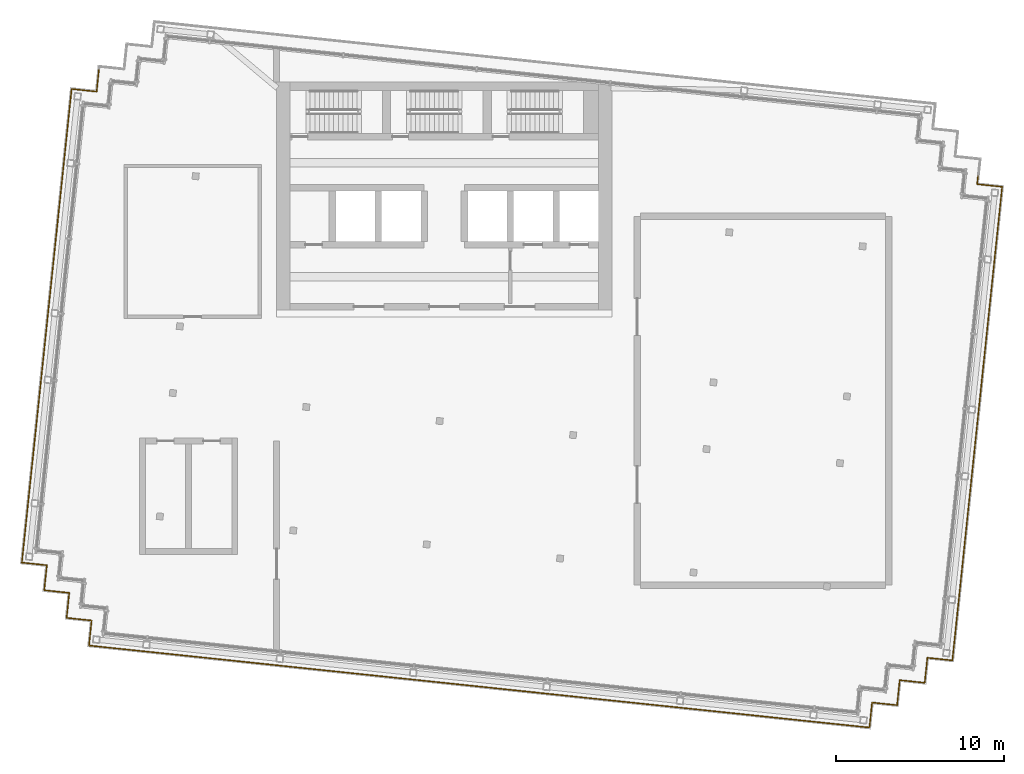
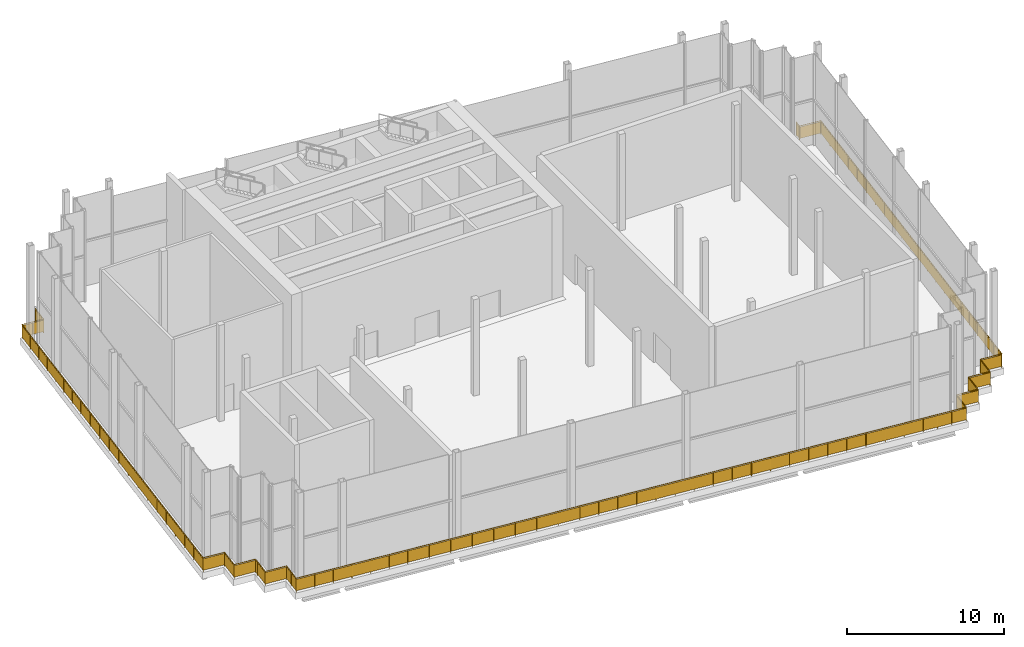
# One storey, part 11 of 14: 11 railings.
"""IFC4 building model written with IfcOpenShell, lengths in metres."""

from ifc_helpers import new_model, si_unit, direction, frame, origin, origin_2d, place, context, subcontext, project, spatial, rectangle, circle, extrude, material, type_object, element, save


model = new_model("IFC4")

# Units and contexts
model_context = context("Model", 3, precision=1e-05, world=origin(), true_north=direction((0.0, 1.0)))
body_context = subcontext(model_context, "Body", "Model", "MODEL_VIEW")
ifc_project = project(units=[si_unit("LENGTHUNIT", "METRE"), si_unit("AREAUNIT", "SQUARE_METRE"), si_unit("VOLUMEUNIT", "CUBIC_METRE"), si_unit("PLANEANGLEUNIT", "RADIAN"), si_unit("MASSUNIT", "GRAM", prefix="KILO")], contexts=[model_context])

# Site, building, storey
site_placement = place(None, origin())
site = spatial("IfcSite", under=ifc_project, at=site_placement, CompositionType="ELEMENT")
building_placement = place(site_placement, origin())
building = spatial("IfcBuilding", under=site, at=building_placement, Name="Vidyagriha Tower", CompositionType="ELEMENT")
storey_placement = place(building_placement, frame((0.0, 0.0, 301.699951171875)))
storey = spatial("IfcBuildingStorey", under=building, at=storey_placement, Name="L78", CompositionType="ELEMENT", Elevation=301.699951171875)

# Railings
ifc_material = material(Name="Steel ASTM A500 Grade C black painted", Category="steel")
railing_type = type_object("IfcRailingType", Name="Gallery guard 1100", PredefinedType="GUARDRAIL", material=ifc_material)
railing_1_placement = place(storey_placement, frame((30.297607421875, -14.485595703125, 0.0)))
element("IfcRailing", 1, at=railing_1_placement, inside=storey, type_object=railing_type, Name="Gallery guard L78 1", PredefinedType="GUARDRAIL", context=body_context, shape_type="SweptSolid", body=[
    extrude(circle(Radius=0.02490234375, at=origin_2d()), frame((0.0, 0.0, 1.0751953125), z_axis=(-0.994525057048, 0.104498377516, 0.0), x_axis=(-0.104498377516, -0.994525057048, 0.0)), (0.0, 0.0, 1.0), 1.5),
    extrude(circle(Radius=0.02490234375, at=origin_2d()), frame((-1.49169921875, 0.15673828125, 1.0751953125), z_axis=(-0.104498377516, -0.994525057048, 0.0), x_axis=(0.994525057048, -0.104498377516, 0.0)), (0.0, 0.0, 1.0), 1.5),
    extrude(circle(Radius=0.02490234375, at=origin_2d()), frame((-1.6484375, -1.3349609375, 1.0751953125), z_axis=(-0.994525057048, 0.104498377516, 0.0), x_axis=(-0.104498377516, -0.994525057048, 0.0)), (0.0, 0.0, 1.0), 1.5),
    extrude(circle(Radius=0.02490234375, at=origin_2d()), frame((-3.14013671875, -1.17822265625, 1.0751953125), z_axis=(-0.104659366031, -0.994508128223, 0.0), x_axis=(0.994508128223, -0.104659366031, 0.0)), (0.0, 0.0, 1.0), 1.5),
    extrude(circle(Radius=0.02490234375, at=origin_2d()), frame((-3.297119140625, -2.669921875, 1.0751953125), z_axis=(-0.994525057048, 0.104498377516, 0.0), x_axis=(-0.104498377516, -0.994525057048, 0.0)), (0.0, 0.0, 1.0), 1.5),
    extrude(circle(Radius=0.02490234375, at=origin_2d()), frame((-4.788818359375, -2.51318359375, 1.0751953125), z_axis=(-0.104498377516, -0.994525057048, 0.0), x_axis=(0.994525057048, -0.104498377516, 0.0)), (0.0, 0.0, 1.0), 1.5),
    extrude(circle(Radius=0.02490234375, at=origin_2d()), frame((-4.945556640625, -4.0048828125, 1.0751953125), z_axis=(-0.994525945657, 0.104489920156, 0.0), x_axis=(-0.104489920156, -0.994525945657, 0.0)), (0.0, 0.0, 1.0), 3.0),
    extrude(circle(Radius=0.02001953125, at=origin_2d()), origin(), (0.0, 0.0, 1.0), 1.050048828125),
    extrude(circle(Radius=0.02001953125, at=origin_2d()), frame((-1.49169921875, 0.15673828125, 0.0)), (0.0, 0.0, 1.0), 1.050048828125),
    extrude(circle(Radius=0.02001953125, at=origin_2d()), frame((-1.6484375, -1.3349609375, 0.0)), (0.0, 0.0, 1.0), 1.050048828125),
    extrude(circle(Radius=0.02001953125, at=origin_2d()), frame((-3.14013671875, -1.17822265625, 0.0)), (0.0, 0.0, 1.0), 1.050048828125),
    extrude(circle(Radius=0.02001953125, at=origin_2d()), frame((-3.297119140625, -2.669921875, 0.0)), (0.0, 0.0, 1.0), 1.050048828125),
    extrude(circle(Radius=0.02001953125, at=origin_2d()), frame((-4.788818359375, -2.51318359375, 0.0)), (0.0, 0.0, 1.0), 1.050048828125),
    extrude(circle(Radius=0.02001953125, at=origin_2d()), frame((-4.945556640625, -4.0048828125, 0.0)), (0.0, 0.0, 1.0), 1.050048828125),
    extrude(circle(Radius=0.02001953125, at=origin_2d()), frame((-5.940185546875, -3.900390625, 0.0)), (0.0, 0.0, 1.0), 1.050048828125),
    extrude(circle(Radius=0.02001953125, at=origin_2d()), frame((-6.9345703125, -3.7958984375, 0.0)), (0.0, 0.0, 1.0), 1.050048828125),
    extrude(circle(Radius=0.02001953125, at=origin_2d()), frame((-7.92919921875, -3.69140625, 0.0)), (0.0, 0.0, 1.0), 1.050048828125),
    extrude(rectangle(XDim=0.010009765625, YDim=0.900146484375, at=origin_2d()), frame((0.0, 0.0, 0.550048828125), z_axis=(-0.994525057048, 0.104498377516, 0.0), x_axis=(-0.104498377516, -0.994525057048, 0.0)), (0.0, 0.0, 1.0), 1.5),
    extrude(rectangle(XDim=0.010009765625, YDim=0.900146484375, at=origin_2d()), frame((-1.49169921875, 0.15673828125, 0.550048828125), z_axis=(-0.104498377516, -0.994525057048, 0.0), x_axis=(0.994525057048, -0.104498377516, 0.0)), (0.0, 0.0, 1.0), 1.5),
    extrude(rectangle(XDim=0.010009765625, YDim=0.900146484375, at=origin_2d()), frame((-1.6484375, -1.3349609375, 0.550048828125), z_axis=(-0.994525057048, 0.104498377516, 0.0), x_axis=(-0.104498377516, -0.994525057048, 0.0)), (0.0, 0.0, 1.0), 1.5),
    extrude(rectangle(XDim=0.010009765625, YDim=0.900146484375, at=origin_2d()), frame((-3.14013671875, -1.17822265625, 0.550048828125), z_axis=(-0.104659366031, -0.994508128223, 0.0), x_axis=(0.994508128223, -0.104659366031, 0.0)), (0.0, 0.0, 1.0), 1.5),
    extrude(rectangle(XDim=0.010009765625, YDim=0.900146484375, at=origin_2d()), frame((-3.297119140625, -2.669921875, 0.550048828125), z_axis=(-0.994525057048, 0.104498377516, 0.0), x_axis=(-0.104498377516, -0.994525057048, 0.0)), (0.0, 0.0, 1.0), 1.5),
    extrude(rectangle(XDim=0.010009765625, YDim=0.900146484375, at=origin_2d()), frame((-4.788818359375, -2.51318359375, 0.550048828125), z_axis=(-0.104498377516, -0.994525057048, 0.0), x_axis=(0.994525057048, -0.104498377516, 0.0)), (0.0, 0.0, 1.0), 1.5),
    extrude(rectangle(XDim=0.010009765625, YDim=0.900146484375, at=origin_2d()), frame((-4.945556640625, -4.0048828125, 0.550048828125), z_axis=(-0.994525945657, 0.104489920156, 0.0), x_axis=(-0.104489920156, -0.994525945657, 0.0)), (0.0, 0.0, 1.0), 3.0),
])
railing_2_placement = place(storey_placement, frame((22.368408203125, -18.177001953125, 0.0)))
element("IfcRailing", 2, at=railing_2_placement, inside=storey, type_object=railing_type, Name="Gallery guard L78 2", PredefinedType="GUARDRAIL", context=body_context, shape_type="SweptSolid", body=[
    extrude(circle(Radius=0.02490234375, at=origin_2d()), frame((0.0, 0.0, 1.0751953125), z_axis=(-0.994521494219, 0.104532279878, 0.0), x_axis=(-0.104532279878, -0.994521494219, 0.0)), (0.0, 0.0, 1.0), 12.0),
    extrude(circle(Radius=0.02001953125, at=origin_2d()), origin(), (0.0, 0.0, 1.0), 1.050048828125),
    extrude(circle(Radius=0.02001953125, at=origin_2d()), frame((-1.325927734375, 0.139404296875, 0.0)), (0.0, 0.0, 1.0), 1.050048828125),
    extrude(circle(Radius=0.02001953125, at=origin_2d()), frame((-2.652099609375, 0.27880859375, 0.0)), (0.0, 0.0, 1.0), 1.050048828125),
    extrude(circle(Radius=0.02001953125, at=origin_2d()), frame((-3.97802734375, 0.418212890625, 0.0)), (0.0, 0.0, 1.0), 1.050048828125),
    extrude(circle(Radius=0.02001953125, at=origin_2d()), frame((-5.30419921875, 0.5576171875, 0.0)), (0.0, 0.0, 1.0), 1.050048828125),
    extrude(circle(Radius=0.02001953125, at=origin_2d()), frame((-6.630126953125, 0.69677734375, 0.0)), (0.0, 0.0, 1.0), 1.050048828125),
    extrude(circle(Radius=0.02001953125, at=origin_2d()), frame((-7.956298828125, 0.836181640625, 0.0)), (0.0, 0.0, 1.0), 1.050048828125),
    extrude(circle(Radius=0.02001953125, at=origin_2d()), frame((-9.2822265625, 0.9755859375, 0.0)), (0.0, 0.0, 1.0), 1.050048828125),
    extrude(circle(Radius=0.02001953125, at=origin_2d()), frame((-10.6083984375, 1.114990234375, 0.0)), (0.0, 0.0, 1.0), 1.050048828125),
    extrude(circle(Radius=0.02001953125, at=origin_2d()), frame((-11.934326171875, 1.25439453125, 0.0)), (0.0, 0.0, 1.0), 1.050048828125),
    extrude(rectangle(XDim=0.010009765625, YDim=0.900146484375, at=origin_2d()), frame((0.0, 0.0, 0.550048828125), z_axis=(-0.994521494219, 0.104532279878, 0.0), x_axis=(-0.104532279878, -0.994521494219, 0.0)), (0.0, 0.0, 1.0), 12.0),
])
railing_3_placement = place(storey_placement, frame((10.43408203125, -16.922607421875, 0.0)))
element("IfcRailing", 3, at=railing_3_placement, inside=storey, type_object=railing_type, Name="Gallery guard L78 3", PredefinedType="GUARDRAIL", context=body_context, shape_type="SweptSolid", body=[
    extrude(circle(Radius=0.02490234375, at=origin_2d()), frame((0.0, 0.0, 1.0751953125), z_axis=(-0.994521494219, 0.104532279878, 0.0), x_axis=(-0.104532279878, -0.994521494219, 0.0)), (0.0, 0.0, 1.0), 12.0),
    extrude(circle(Radius=0.02001953125, at=origin_2d()), origin(), (0.0, 0.0, 1.0), 1.050048828125),
    extrude(circle(Radius=0.02001953125, at=origin_2d()), frame((-1.325927734375, 0.139404296875, 0.0)), (0.0, 0.0, 1.0), 1.050048828125),
    extrude(circle(Radius=0.02001953125, at=origin_2d()), frame((-2.652099609375, 0.27880859375, 0.0)), (0.0, 0.0, 1.0), 1.050048828125),
    extrude(circle(Radius=0.02001953125, at=origin_2d()), frame((-3.97802734375, 0.418212890625, 0.0)), (0.0, 0.0, 1.0), 1.050048828125),
    extrude(circle(Radius=0.02001953125, at=origin_2d()), frame((-5.30419921875, 0.5576171875, 0.0)), (0.0, 0.0, 1.0), 1.050048828125),
    extrude(circle(Radius=0.02001953125, at=origin_2d()), frame((-6.630126953125, 0.69677734375, 0.0)), (0.0, 0.0, 1.0), 1.050048828125),
    extrude(circle(Radius=0.02001953125, at=origin_2d()), frame((-7.956298828125, 0.836181640625, 0.0)), (0.0, 0.0, 1.0), 1.050048828125),
    extrude(circle(Radius=0.02001953125, at=origin_2d()), frame((-9.2822265625, 0.9755859375, 0.0)), (0.0, 0.0, 1.0), 1.050048828125),
    extrude(circle(Radius=0.02001953125, at=origin_2d()), frame((-10.6083984375, 1.114990234375, 0.0)), (0.0, 0.0, 1.0), 1.050048828125),
    extrude(circle(Radius=0.02001953125, at=origin_2d()), frame((-11.934326171875, 1.25439453125, 0.0)), (0.0, 0.0, 1.0), 1.050048828125),
    extrude(rectangle(XDim=0.010009765625, YDim=0.900146484375, at=origin_2d()), frame((0.0, 0.0, 0.550048828125), z_axis=(-0.994521494219, 0.104532279878, 0.0), x_axis=(-0.104532279878, -0.994521494219, 0.0)), (0.0, 0.0, 1.0), 12.0),
])
railing_4_placement = place(storey_placement, frame((-1.500244140625, -15.668212890625, 0.0)))
element("IfcRailing", 4, at=railing_4_placement, inside=storey, type_object=railing_type, Name="Gallery guard L78 4", PredefinedType="GUARDRAIL", context=body_context, shape_type="SweptSolid", body=[
    extrude(circle(Radius=0.02490234375, at=origin_2d()), frame((0.0, 0.0, 1.0751953125), z_axis=(-0.994521271903, 0.104534394972, 0.0), x_axis=(-0.104534394972, -0.994521271903, 0.0)), (0.0, 0.0, 1.0), 11.999755859375),
    extrude(circle(Radius=0.02001953125, at=origin_2d()), origin(), (0.0, 0.0, 1.0), 1.050048828125),
    extrude(circle(Radius=0.02001953125, at=origin_2d()), frame((-1.49169921875, 0.15673828125, 0.0)), (0.0, 0.0, 1.0), 1.050048828125),
    extrude(circle(Radius=0.02001953125, at=origin_2d()), frame((-2.9833984375, 0.3134765625, 0.0)), (0.0, 0.0, 1.0), 1.050048828125),
    extrude(circle(Radius=0.02001953125, at=origin_2d()), frame((-4.475341796875, 0.470458984375, 0.0)), (0.0, 0.0, 1.0), 1.050048828125),
    extrude(circle(Radius=0.02001953125, at=origin_2d()), frame((-5.967041015625, 0.627197265625, 0.0)), (0.0, 0.0, 1.0), 1.050048828125),
    extrude(circle(Radius=0.02001953125, at=origin_2d()), frame((-7.458740234375, 0.783935546875, 0.0)), (0.0, 0.0, 1.0), 1.050048828125),
    extrude(circle(Radius=0.02001953125, at=origin_2d()), frame((-8.95068359375, 0.94091796875, 0.0)), (0.0, 0.0, 1.0), 1.050048828125),
    extrude(circle(Radius=0.02001953125, at=origin_2d()), frame((-10.4423828125, 1.09765625, 0.0)), (0.0, 0.0, 1.0), 1.050048828125),
    extrude(circle(Radius=0.02001953125, at=origin_2d()), frame((-11.93408203125, 1.25439453125, 0.0)), (0.0, 0.0, 1.0), 1.050048828125),
    extrude(rectangle(XDim=0.010009765625, YDim=0.900146484375, at=origin_2d()), frame((0.0, 0.0, 0.550048828125), z_axis=(-0.994521271903, 0.104534394972, 0.0), x_axis=(-0.104534394972, -0.994521271903, 0.0)), (0.0, 0.0, 1.0), 11.999755859375),
])
railing_5_placement = place(storey_placement, frame((-13.434326171875, -14.413818359375, 0.0)))
element("IfcRailing", 5, at=railing_5_placement, inside=storey, type_object=railing_type, Name="Gallery guard L78 5", PredefinedType="GUARDRAIL", context=body_context, shape_type="SweptSolid", body=[
    extrude(circle(Radius=0.02490234375, at=origin_2d()), frame((0.0, 0.0, 1.0751953125), z_axis=(-0.994523788829, 0.10451044662, 0.0), x_axis=(-0.10451044662, -0.994523788829, 0.0)), (0.0, 0.0, 1.0), 7.800048828125),
    extrude(circle(Radius=0.02490234375, at=origin_2d()), frame((-7.75732421875, 0.815185546875, 1.0751953125), z_axis=(0.104481464157, 0.994526834051, 0.0), x_axis=(-0.994526834051, 0.104481464157, 0.0)), (0.0, 0.0, 1.0), 1.500244140625),
    extrude(circle(Radius=0.02490234375, at=origin_2d()), frame((-7.6005859375, 2.30712890625, 1.0751953125), z_axis=(-0.994525057048, 0.104498377516, 0.0), x_axis=(-0.104498377516, -0.994525057048, 0.0)), (0.0, 0.0, 1.0), 1.5),
    extrude(circle(Radius=0.02490234375, at=origin_2d()), frame((-9.09228515625, 2.4638671875, 1.0751953125), z_axis=(0.104578872801, 0.994516595821, 0.0), x_axis=(-0.994516595821, 0.104578872801, 0.0)), (0.0, 0.0, 1.0), 1.199951171875),
    extrude(circle(Radius=0.02001953125, at=origin_2d()), origin(), (0.0, 0.0, 1.0), 1.050048828125),
    extrude(circle(Radius=0.02001953125, at=origin_2d()), frame((-1.29296875, 0.1357421875, 0.0)), (0.0, 0.0, 1.0), 1.050048828125),
    extrude(circle(Radius=0.02001953125, at=origin_2d()), frame((-2.585693359375, 0.271728515625, 0.0)), (0.0, 0.0, 1.0), 1.050048828125),
    extrude(circle(Radius=0.02001953125, at=origin_2d()), frame((-3.878662109375, 0.40771484375, 0.0)), (0.0, 0.0, 1.0), 1.050048828125),
    extrude(circle(Radius=0.02001953125, at=origin_2d()), frame((-5.171630859375, 0.54345703125, 0.0)), (0.0, 0.0, 1.0), 1.050048828125),
    extrude(circle(Radius=0.02001953125, at=origin_2d()), frame((-6.46435546875, 0.67919921875, 0.0)), (0.0, 0.0, 1.0), 1.050048828125),
    extrude(circle(Radius=0.02001953125, at=origin_2d()), frame((-7.75732421875, 0.815185546875, 0.0)), (0.0, 0.0, 1.0), 1.050048828125),
    extrude(circle(Radius=0.02001953125, at=origin_2d()), frame((-7.678955078125, 1.56103515625, 0.0)), (0.0, 0.0, 1.0), 1.050048828125),
    extrude(circle(Radius=0.02001953125, at=origin_2d()), frame((-7.6005859375, 2.30712890625, 0.0)), (0.0, 0.0, 1.0), 1.050048828125),
    extrude(circle(Radius=0.02001953125, at=origin_2d()), frame((-9.09228515625, 2.4638671875, 0.0)), (0.0, 0.0, 1.0), 1.050048828125),
    extrude(circle(Radius=0.02001953125, at=origin_2d()), frame((-8.966796875, 3.6572265625, 0.0)), (0.0, 0.0, 1.0), 1.050048828125),
    extrude(rectangle(XDim=0.010009765625, YDim=0.900146484375, at=origin_2d()), frame((0.0, 0.0, 0.550048828125), z_axis=(-0.994523788829, 0.10451044662, 0.0), x_axis=(-0.10451044662, -0.994523788829, 0.0)), (0.0, 0.0, 1.0), 7.800048828125),
    extrude(rectangle(XDim=0.010009765625, YDim=0.900146484375, at=origin_2d()), frame((-7.75732421875, 0.815185546875, 0.550048828125), z_axis=(0.104481464157, 0.994526834051, 0.0), x_axis=(-0.994526834051, 0.104481464157, 0.0)), (0.0, 0.0, 1.0), 1.500244140625),
    extrude(rectangle(XDim=0.010009765625, YDim=0.900146484375, at=origin_2d()), frame((-7.6005859375, 2.30712890625, 0.550048828125), z_axis=(-0.994525057048, 0.104498377516, 0.0), x_axis=(-0.104498377516, -0.994525057048, 0.0)), (0.0, 0.0, 1.0), 1.5),
    extrude(rectangle(XDim=0.010009765625, YDim=0.900146484375, at=origin_2d()), frame((-9.09228515625, 2.4638671875, 0.550048828125), z_axis=(0.104578872801, 0.994516595821, 0.0), x_axis=(-0.994516595821, 0.104578872801, 0.0)), (0.0, 0.0, 1.0), 1.199951171875),
])
railing_6_placement = place(storey_placement, frame((-22.401123046875, -10.756591796875, 0.0)))
element("IfcRailing", 6, at=railing_6_placement, inside=storey, type_object=railing_type, Name="Gallery guard L78 6", PredefinedType="GUARDRAIL", context=body_context, shape_type="SweptSolid", body=[
    extrude(circle(Radius=0.02490234375, at=origin_2d()), frame((0.0, 0.0, 1.0751953125), z_axis=(0.104176375855, 0.994558838236, 0.0), x_axis=(-0.994558838236, 0.104176375855, 0.0)), (0.0, 0.0, 1.0), 0.300048828125),
    extrude(circle(Radius=0.02490234375, at=origin_2d()), frame((0.03125, 0.29833984375, 1.0751953125), z_axis=(-0.994525057048, 0.104498377516, 0.0), x_axis=(-0.104498377516, -0.994525057048, 0.0)), (0.0, 0.0, 1.0), 1.5),
    extrude(circle(Radius=0.02490234375, at=origin_2d()), frame((-1.46044921875, 0.455078125, 1.0751953125), z_axis=(0.104498377516, 0.994525057048, 0.0), x_axis=(-0.994525057048, 0.104498377516, 0.0)), (0.0, 0.0, 1.0), 1.5),
    extrude(circle(Radius=0.02490234375, at=origin_2d()), frame((-1.3037109375, 1.94677734375, 1.0751953125), z_axis=(-0.994508128223, 0.104659366031, 0.0), x_axis=(-0.104659366031, -0.994508128223, 0.0)), (0.0, 0.0, 1.0), 1.5),
    extrude(circle(Radius=0.02490234375, at=origin_2d()), frame((-2.79541015625, 2.103759765625, 1.0751953125), z_axis=(0.10450474476, 0.994524387998, 0.0), x_axis=(-0.994524387998, 0.10450474476, 0.0)), (0.0, 0.0, 1.0), 7.199951171875),
    extrude(circle(Radius=0.02001953125, at=origin_2d()), origin(), (0.0, 0.0, 1.0), 1.050048828125),
    extrude(circle(Radius=0.02001953125, at=origin_2d()), frame((0.03125, 0.29833984375, 0.0)), (0.0, 0.0, 1.0), 1.050048828125),
    extrude(circle(Radius=0.02001953125, at=origin_2d()), frame((-1.46044921875, 0.455078125, 0.0)), (0.0, 0.0, 1.0), 1.050048828125),
    extrude(circle(Radius=0.02001953125, at=origin_2d()), frame((-1.3037109375, 1.94677734375, 0.0)), (0.0, 0.0, 1.0), 1.050048828125),
    extrude(circle(Radius=0.02001953125, at=origin_2d()), frame((-2.79541015625, 2.103759765625, 0.0)), (0.0, 0.0, 1.0), 1.050048828125),
    extrude(circle(Radius=0.02001953125, at=origin_2d()), frame((-2.64501953125, 3.535888671875, 0.0)), (0.0, 0.0, 1.0), 1.050048828125),
    extrude(circle(Radius=0.02001953125, at=origin_2d()), frame((-2.494384765625, 4.968017578125, 0.0)), (0.0, 0.0, 1.0), 1.050048828125),
    extrude(circle(Radius=0.02001953125, at=origin_2d()), frame((-2.343994140625, 6.400146484375, 0.0)), (0.0, 0.0, 1.0), 1.050048828125),
    extrude(circle(Radius=0.02001953125, at=origin_2d()), frame((-2.193359375, 7.832275390625, 0.0)), (0.0, 0.0, 1.0), 1.050048828125),
    extrude(circle(Radius=0.02001953125, at=origin_2d()), frame((-2.04296875, 9.264404296875, 0.0)), (0.0, 0.0, 1.0), 1.050048828125),
    extrude(rectangle(XDim=0.010009765625, YDim=0.900146484375, at=origin_2d()), frame((0.0, 0.0, 0.550048828125), z_axis=(0.104176375855, 0.994558838236, 0.0), x_axis=(-0.994558838236, 0.104176375855, 0.0)), (0.0, 0.0, 1.0), 0.300048828125),
    extrude(rectangle(XDim=0.010009765625, YDim=0.900146484375, at=origin_2d()), frame((0.03125, 0.29833984375, 0.550048828125), z_axis=(-0.994525057048, 0.104498377516, 0.0), x_axis=(-0.104498377516, -0.994525057048, 0.0)), (0.0, 0.0, 1.0), 1.5),
    extrude(rectangle(XDim=0.010009765625, YDim=0.900146484375, at=origin_2d()), frame((-1.46044921875, 0.455078125, 0.550048828125), z_axis=(0.104498377516, 0.994525057048, 0.0), x_axis=(-0.994525057048, 0.104498377516, 0.0)), (0.0, 0.0, 1.0), 1.5),
    extrude(rectangle(XDim=0.010009765625, YDim=0.900146484375, at=origin_2d()), frame((-1.3037109375, 1.94677734375, 0.550048828125), z_axis=(-0.994508128223, 0.104659366031, 0.0), x_axis=(-0.104659366031, -0.994508128223, 0.0)), (0.0, 0.0, 1.0), 1.5),
    extrude(rectangle(XDim=0.010009765625, YDim=0.900146484375, at=origin_2d()), frame((-2.79541015625, 2.103759765625, 0.550048828125), z_axis=(0.10450474476, 0.994524387998, 0.0), x_axis=(-0.994524387998, 0.10450474476, 0.0)), (0.0, 0.0, 1.0), 7.199951171875),
])
railing_7_placement = place(storey_placement, frame((-24.444091796875, -1.4921875, 0.0)))
element("IfcRailing", 7, at=railing_7_placement, inside=storey, type_object=railing_type, Name="Gallery guard L78 7", PredefinedType="GUARDRAIL", context=body_context, shape_type="SweptSolid", body=[
    extrude(circle(Radius=0.02490234375, at=origin_2d()), frame((0.0, 0.0, 1.0751953125), z_axis=(0.104534394972, 0.994521271903, 0.0), x_axis=(-0.994521271903, 0.104534394972, 0.0)), (0.0, 0.0, 1.0), 11.999755859375),
    extrude(circle(Radius=0.02001953125, at=origin_2d()), origin(), (0.0, 0.0, 1.0), 1.050048828125),
    extrude(circle(Radius=0.02001953125, at=origin_2d()), frame((0.15673828125, 1.49169921875, 0.0)), (0.0, 0.0, 1.0), 1.050048828125),
    extrude(circle(Radius=0.02001953125, at=origin_2d()), frame((0.3134765625, 2.9833984375, 0.0)), (0.0, 0.0, 1.0), 1.050048828125),
    extrude(circle(Radius=0.02001953125, at=origin_2d()), frame((0.470458984375, 4.475341796875, 0.0)), (0.0, 0.0, 1.0), 1.050048828125),
    extrude(circle(Radius=0.02001953125, at=origin_2d()), frame((0.627197265625, 5.967041015625, 0.0)), (0.0, 0.0, 1.0), 1.050048828125),
    extrude(circle(Radius=0.02001953125, at=origin_2d()), frame((0.783935546875, 7.458740234375, 0.0)), (0.0, 0.0, 1.0), 1.050048828125),
    extrude(circle(Radius=0.02001953125, at=origin_2d()), frame((0.94091796875, 8.95068359375, 0.0)), (0.0, 0.0, 1.0), 1.050048828125),
    extrude(circle(Radius=0.02001953125, at=origin_2d()), frame((1.09765625, 10.4423828125, 0.0)), (0.0, 0.0, 1.0), 1.050048828125),
    extrude(circle(Radius=0.02001953125, at=origin_2d()), frame((1.25439453125, 11.93408203125, 0.0)), (0.0, 0.0, 1.0), 1.050048828125),
    extrude(rectangle(XDim=0.010009765625, YDim=0.900146484375, at=origin_2d()), frame((0.0, 0.0, 0.550048828125), z_axis=(0.104534394972, 0.994521271903, 0.0), x_axis=(-0.994521271903, 0.104534394972, 0.0)), (0.0, 0.0, 1.0), 11.999755859375),
])
railing_8_placement = place(storey_placement, frame((-23.189697265625, 10.44189453125, 0.0)))
element("IfcRailing", 8, at=railing_8_placement, inside=storey, type_object=railing_type, Name="Gallery guard L78 8", PredefinedType="GUARDRAIL", context=body_context, shape_type="SweptSolid", body=[
    extrude(circle(Radius=0.02490234375, at=origin_2d()), frame((0.0, 0.0, 1.0751953125), z_axis=(0.104528688334, 0.994521871713, 0.0), x_axis=(-0.994521871713, 0.104528688334, 0.0)), (0.0, 0.0, 1.0), 9.199951171875),
    extrude(circle(Radius=0.02490234375, at=origin_2d()), frame((0.961669921875, 9.149658203125, 1.0751953125), z_axis=(0.994526834051, -0.104481464157, 0.0), x_axis=(0.104481464157, 0.994526834051, 0.0)), (0.0, 0.0, 1.0), 1.500244140625),
    extrude(circle(Radius=0.02490234375, at=origin_2d()), frame((2.45361328125, 8.992919921875, 1.0751953125), z_axis=(0.104411070641, 0.994534226826, 0.0), x_axis=(-0.994534226826, 0.104411070641, 0.0)), (0.0, 0.0, 1.0), 1.300048828125),
    extrude(circle(Radius=0.02001953125, at=origin_2d()), origin(), (0.0, 0.0, 1.0), 1.050048828125),
    extrude(circle(Radius=0.02001953125, at=origin_2d()), frame((0.137451171875, 1.30712890625, 0.0)), (0.0, 0.0, 1.0), 1.050048828125),
    extrude(circle(Radius=0.02001953125, at=origin_2d()), frame((0.274658203125, 2.6142578125, 0.0)), (0.0, 0.0, 1.0), 1.050048828125),
    extrude(circle(Radius=0.02001953125, at=origin_2d()), frame((0.412109375, 3.92138671875, 0.0)), (0.0, 0.0, 1.0), 1.050048828125),
    extrude(circle(Radius=0.02001953125, at=origin_2d()), frame((0.549560546875, 5.228271484375, 0.0)), (0.0, 0.0, 1.0), 1.050048828125),
    extrude(circle(Radius=0.02001953125, at=origin_2d()), frame((0.68701171875, 6.535400390625, 0.0)), (0.0, 0.0, 1.0), 1.050048828125),
    extrude(circle(Radius=0.02001953125, at=origin_2d()), frame((0.82421875, 7.842529296875, 0.0)), (0.0, 0.0, 1.0), 1.050048828125),
    extrude(circle(Radius=0.02001953125, at=origin_2d()), frame((0.961669921875, 9.149658203125, 0.0)), (0.0, 0.0, 1.0), 1.050048828125),
    extrude(circle(Radius=0.02001953125, at=origin_2d()), frame((1.70751953125, 9.0712890625, 0.0)), (0.0, 0.0, 1.0), 1.050048828125),
    extrude(circle(Radius=0.02001953125, at=origin_2d()), frame((2.45361328125, 8.992919921875, 0.0)), (0.0, 0.0, 1.0), 1.050048828125),
    extrude(circle(Radius=0.02001953125, at=origin_2d()), frame((2.58935546875, 10.285888671875, 0.0)), (0.0, 0.0, 1.0), 1.050048828125),
    extrude(rectangle(XDim=0.010009765625, YDim=0.900146484375, at=origin_2d()), frame((0.0, 0.0, 0.550048828125), z_axis=(0.104528688334, 0.994521871713, 0.0), x_axis=(-0.994521871713, 0.104528688334, 0.0)), (0.0, 0.0, 1.0), 9.199951171875),
    extrude(rectangle(XDim=0.010009765625, YDim=0.900146484375, at=origin_2d()), frame((0.961669921875, 9.149658203125, 0.550048828125), z_axis=(0.994526834051, -0.104481464157, 0.0), x_axis=(0.104481464157, 0.994526834051, 0.0)), (0.0, 0.0, 1.0), 1.500244140625),
    extrude(rectangle(XDim=0.010009765625, YDim=0.900146484375, at=origin_2d()), frame((2.45361328125, 8.992919921875, 0.550048828125), z_axis=(0.104411070641, 0.994534226826, 0.0), x_axis=(-0.994534226826, 0.104411070641, 0.0)), (0.0, 0.0, 1.0), 1.300048828125),
])
railing_9_placement = place(storey_placement, frame((31.826904296875, 14.412841796875, 0.0)))
element("IfcRailing", 9, at=railing_9_placement, inside=storey, type_object=railing_type, Name="Gallery guard L78 14", PredefinedType="GUARDRAIL", context=body_context, shape_type="SweptSolid", body=[
    extrude(circle(Radius=0.02490234375, at=origin_2d()), frame((0.0, 0.0, 1.0751953125), z_axis=(-0.104481464157, -0.994526834051, 0.0), x_axis=(0.994526834051, -0.104481464157, 0.0)), (0.0, 0.0, 1.0), 0.5),
    extrude(circle(Radius=0.02490234375, at=origin_2d()), frame((-0.05224609375, -0.497314453125, 1.0751953125), z_axis=(0.994525057048, -0.104498377516, 0.0), x_axis=(0.104498377516, 0.994525057048, 0.0)), (0.0, 0.0, 1.0), 1.5),
    extrude(circle(Radius=0.02490234375, at=origin_2d()), frame((1.439453125, -0.654052734375, 1.0751953125), z_axis=(-0.104539905878, -0.994520692635, 0.0), x_axis=(0.994520692635, -0.104539905878, 0.0)), (0.0, 0.0, 1.0), 10.0),
    extrude(circle(Radius=0.02001953125, at=origin_2d()), origin(), (0.0, 0.0, 1.0), 1.050048828125),
    extrude(circle(Radius=0.02001953125, at=origin_2d()), frame((-0.05224609375, -0.497314453125, 0.0)), (0.0, 0.0, 1.0), 1.050048828125),
    extrude(circle(Radius=0.02001953125, at=origin_2d()), frame((1.439453125, -0.654052734375, 0.0)), (0.0, 0.0, 1.0), 1.050048828125),
    extrude(circle(Radius=0.02001953125, at=origin_2d()), frame((1.2900390625, -2.07470703125, 0.0)), (0.0, 0.0, 1.0), 1.050048828125),
    extrude(circle(Radius=0.02001953125, at=origin_2d()), frame((1.140869140625, -3.49560546875, 0.0)), (0.0, 0.0, 1.0), 1.050048828125),
    extrude(circle(Radius=0.02001953125, at=origin_2d()), frame((0.991455078125, -4.916259765625, 0.0)), (0.0, 0.0, 1.0), 1.050048828125),
    extrude(circle(Radius=0.02001953125, at=origin_2d()), frame((0.842041015625, -6.337158203125, 0.0)), (0.0, 0.0, 1.0), 1.050048828125),
    extrude(circle(Radius=0.02001953125, at=origin_2d()), frame((0.692626953125, -7.7578125, 0.0)), (0.0, 0.0, 1.0), 1.050048828125),
    extrude(circle(Radius=0.02001953125, at=origin_2d()), frame((0.54345703125, -9.1787109375, 0.0)), (0.0, 0.0, 1.0), 1.050048828125),
    extrude(circle(Radius=0.02001953125, at=origin_2d()), frame((0.39404296875, -10.599365234375, 0.0)), (0.0, 0.0, 1.0), 1.050048828125),
    extrude(rectangle(XDim=0.010009765625, YDim=0.900146484375, at=origin_2d()), frame((0.0, 0.0, 0.550048828125), z_axis=(-0.104481464157, -0.994526834051, 0.0), x_axis=(0.994526834051, -0.104481464157, 0.0)), (0.0, 0.0, 1.0), 0.5),
    extrude(rectangle(XDim=0.010009765625, YDim=0.900146484375, at=origin_2d()), frame((-0.05224609375, -0.497314453125, 0.550048828125), z_axis=(0.994525057048, -0.104498377516, 0.0), x_axis=(0.104498377516, 0.994525057048, 0.0)), (0.0, 0.0, 1.0), 1.5),
    extrude(rectangle(XDim=0.010009765625, YDim=0.900146484375, at=origin_2d()), frame((1.439453125, -0.654052734375, 0.550048828125), z_axis=(-0.104539905878, -0.994520692635, 0.0), x_axis=(0.994520692635, -0.104539905878, 0.0)), (0.0, 0.0, 1.0), 10.0),
])
railing_10_placement = place(storey_placement, frame((32.220947265625, 3.8134765625, 0.0)))
element("IfcRailing", 10, at=railing_10_placement, inside=storey, type_object=railing_type, Name="Gallery guard L78 15", PredefinedType="GUARDRAIL", context=body_context, shape_type="SweptSolid", body=[
    extrude(circle(Radius=0.02490234375, at=origin_2d()), frame((0.0, 0.0, 1.0751953125), z_axis=(-0.104512157188, -0.994523609071, 0.0), x_axis=(0.994523609071, -0.104512157188, 0.0)), (0.0, 0.0, 1.0), 12.0),
    extrude(circle(Radius=0.02001953125, at=origin_2d()), origin(), (0.0, 0.0, 1.0), 1.050048828125),
    extrude(circle(Radius=0.02001953125, at=origin_2d()), frame((-0.139404296875, -1.325927734375, 0.0)), (0.0, 0.0, 1.0), 1.050048828125),
    extrude(circle(Radius=0.02001953125, at=origin_2d()), frame((-0.27880859375, -2.652099609375, 0.0)), (0.0, 0.0, 1.0), 1.050048828125),
    extrude(circle(Radius=0.02001953125, at=origin_2d()), frame((-0.41796875, -3.97802734375, 0.0)), (0.0, 0.0, 1.0), 1.050048828125),
    extrude(circle(Radius=0.02001953125, at=origin_2d()), frame((-0.557373046875, -5.30419921875, 0.0)), (0.0, 0.0, 1.0), 1.050048828125),
    extrude(circle(Radius=0.02001953125, at=origin_2d()), frame((-0.69677734375, -6.630126953125, 0.0)), (0.0, 0.0, 1.0), 1.050048828125),
    extrude(circle(Radius=0.02001953125, at=origin_2d()), frame((-0.836181640625, -7.956298828125, 0.0)), (0.0, 0.0, 1.0), 1.050048828125),
    extrude(circle(Radius=0.02001953125, at=origin_2d()), frame((-0.975341796875, -9.2822265625, 0.0)), (0.0, 0.0, 1.0), 1.050048828125),
    extrude(circle(Radius=0.02001953125, at=origin_2d()), frame((-1.11474609375, -10.6083984375, 0.0)), (0.0, 0.0, 1.0), 1.050048828125),
    extrude(circle(Radius=0.02001953125, at=origin_2d()), frame((-1.254150390625, -11.934326171875, 0.0)), (0.0, 0.0, 1.0), 1.050048828125),
    extrude(rectangle(XDim=0.010009765625, YDim=0.900146484375, at=origin_2d()), frame((0.0, 0.0, 0.550048828125), z_axis=(-0.104512157188, -0.994523609071, 0.0), x_axis=(0.994523609071, -0.104512157188, 0.0)), (0.0, 0.0, 1.0), 12.0),
])
railing_11_placement = place(storey_placement, frame((30.966796875, -8.120849609375, 0.0)))
element("IfcRailing", 11, at=railing_11_placement, inside=storey, type_object=railing_type, Name="Gallery guard L78 16", PredefinedType="GUARDRAIL", context=body_context, shape_type="SweptSolid", body=[
    extrude(circle(Radius=0.02490234375, at=origin_2d()), frame((0.0, 0.0, 1.0751953125), z_axis=(-0.104563650797, -0.994518196381, 0.0), x_axis=(0.994518196381, -0.104563650797, 0.0)), (0.0, 0.0, 1.0), 6.39990234375),
    extrude(circle(Radius=0.02001953125, at=origin_2d()), origin(), (0.0, 0.0, 1.0), 1.050048828125),
    extrude(circle(Radius=0.02001953125, at=origin_2d()), frame((-0.1337890625, -1.27294921875, 0.0)), (0.0, 0.0, 1.0), 1.050048828125),
    extrude(circle(Radius=0.02001953125, at=origin_2d()), frame((-0.267578125, -2.5458984375, 0.0)), (0.0, 0.0, 1.0), 1.050048828125),
    extrude(circle(Radius=0.02001953125, at=origin_2d()), frame((-0.401611328125, -3.81884765625, 0.0)), (0.0, 0.0, 1.0), 1.050048828125),
    extrude(circle(Radius=0.02001953125, at=origin_2d()), frame((-0.535400390625, -5.091796875, 0.0)), (0.0, 0.0, 1.0), 1.050048828125),
    extrude(circle(Radius=0.02001953125, at=origin_2d()), frame((-0.669189453125, -6.36474609375, 0.0)), (0.0, 0.0, 1.0), 1.050048828125),
    extrude(rectangle(XDim=0.010009765625, YDim=0.900146484375, at=origin_2d()), frame((0.0, 0.0, 0.550048828125), z_axis=(-0.104563650797, -0.994518196381, 0.0), x_axis=(0.994518196381, -0.104563650797, 0.0)), (0.0, 0.0, 1.0), 6.39990234375),
])

save(model, "model.ifc")
